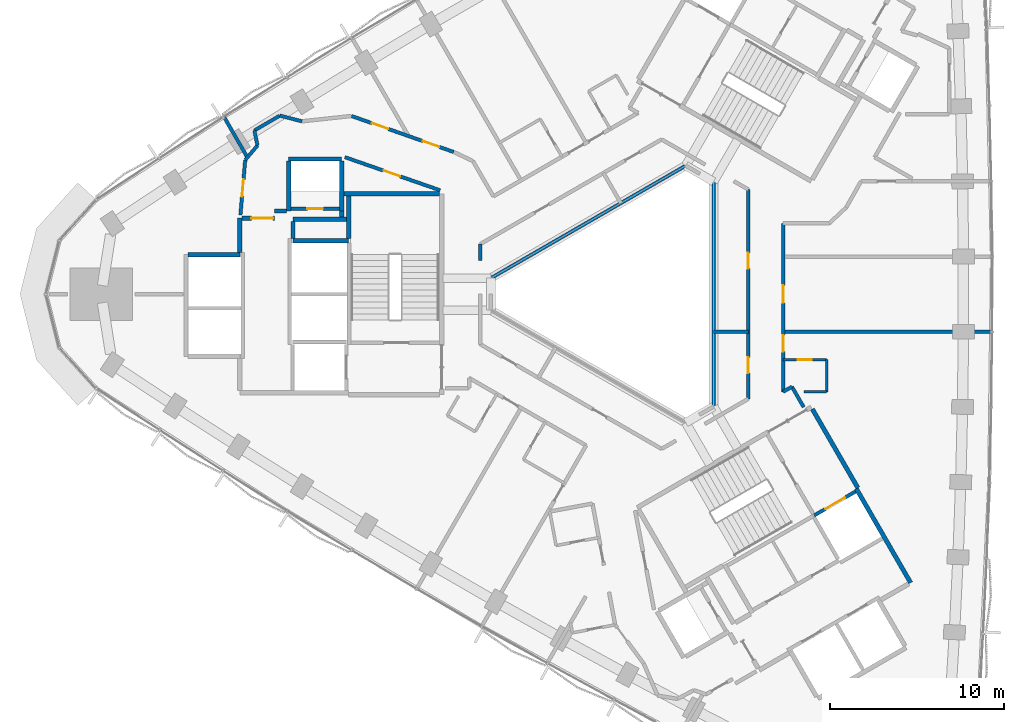
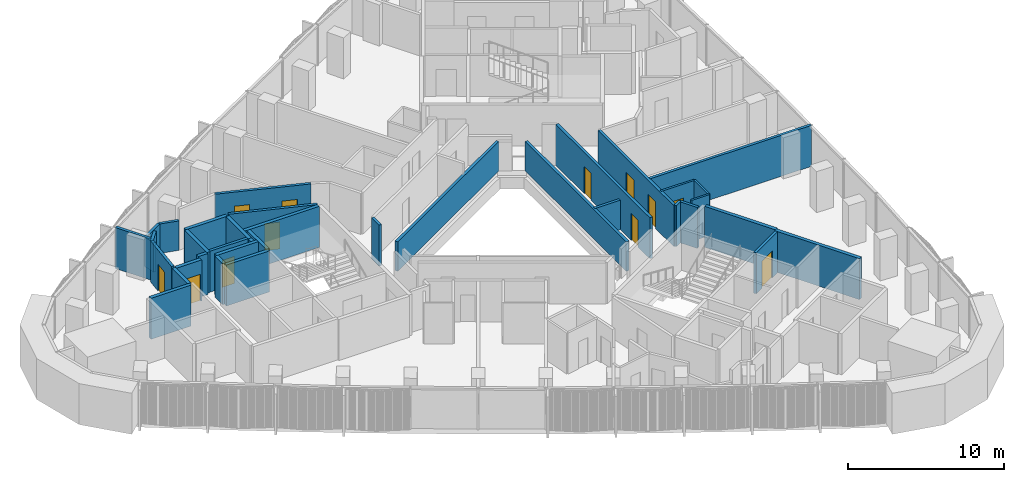
# One storey, part 10 of 15: 37 walls, 12 doors, 12 openings.
"""IFC4 building model written with IfcOpenShell, lengths in metres."""

from ifc_helpers import new_model, si_unit, direction, frame, frame_2d, origin, place, context, subcontext, project, spatial, rectangle, extrude, material, layer, layer_set, type_object, element, fill, save


model = new_model("IFC4")

# Units and contexts
model_context = context("Model", 3, precision=1e-05, world=origin(), true_north=direction((0.0, 1.0)))
body_context = subcontext(model_context, "Body", "Model", "MODEL_VIEW")
ifc_project = project(units=[si_unit("LENGTHUNIT", "METRE"), si_unit("AREAUNIT", "SQUARE_METRE"), si_unit("VOLUMEUNIT", "CUBIC_METRE"), si_unit("PLANEANGLEUNIT", "RADIAN"), si_unit("MASSUNIT", "GRAM", prefix="KILO")], contexts=[model_context])

# Site, building, storey
site_placement = place(None, origin())
site = spatial("IfcSite", under=ifc_project, at=site_placement, CompositionType="ELEMENT")
building_placement = place(site_placement, origin())
building = spatial("IfcBuilding", under=site, at=building_placement, Name="Tamra Quay Hotel Tower", CompositionType="ELEMENT")
storey_placement = place(building_placement, frame((0.0, 0.0, 136.0)))
storey = spatial("IfcBuildingStorey", under=building, at=storey_placement, Name="L33", CompositionType="ELEMENT", Elevation=136.0)

# Wall, opening, door
ifc_material_1 = material(Name="Concrete M70", Category="concrete")
ifc_layer_1 = layer(ifc_material_1, 0.199951171875)
ifc_layer_set_1 = layer_set([ifc_layer_1], Name="Concrete M70 core wall 200")
wall_type_1 = type_object("IfcWallType", Name="Concrete M70 core wall 200", PredefinedType="SHEAR", material=ifc_layer_set_1)
wall_1_placement = place(storey_placement, frame((-19.51123046875, 4.91015625, 0.0), z_axis=(0.0, 0.0, 1.0), x_axis=(1.0, 0.0, 0.0)))
wall_1 = element("IfcWall", 1, at=wall_1_placement, inside=storey, type_object=wall_type_1, Name="CW2", PredefinedType="SHEAR", context=body_context, shape_type="SweptSolid", body=[
    extrude(rectangle(XDim=2.7978515625, YDim=0.199951171875, at=frame_2d((1.39892578125, 0.0))), origin(), (0.0, 0.0, 1.0), 3.199951171875),
])
opening_1_placement = place(wall_1_placement, frame((0.948974609375, 0.0, 0.0)))
opening_1 = element("IfcOpeningElement", 2, at=opening_1_placement, cuts=wall_1, Name="Opening D1", PredefinedType="OPENING", context=body_context, shape_type="SweptSolid", body=[
    extrude(rectangle(XDim=0.89990234375, YDim=2.10009765625, at=frame_2d((0.449951171875, 1.050048828125))), frame((0.0, 0.10986328125, 0.0), z_axis=(0.0, -1.0, 0.0), x_axis=(1.0, 0.0, 0.0)), (0.0, 0.0, 1.0), 0.219970703125),
])
ifc_material_2 = material(Name="Core door D1 900x2100 RH")
door_type_1 = type_object("IfcDoorType", Name="Core door D1 900x2100 RH", OperationType="NOTDEFINED", PredefinedType="DOOR", material=ifc_material_2)
door_1_placement = place(opening_1_placement, origin())
door_1 = element("IfcDoor", 3, at=door_1_placement, inside=storey, type_object=door_type_1, Name="D1", OperationType="SINGLE_SWING_RIGHT", OverallHeight=2.10009765625, OverallWidth=0.89990234375, PredefinedType="DOOR", context=body_context, shape_type="SweptSolid", body=[
    extrude(rectangle(XDim=0.89990234375, YDim=2.10009765625, at=frame_2d((0.449951171875, 1.050048828125))), frame((0.0, 0.02490234375, 0.0), z_axis=(0.0, -1.0, 0.0), x_axis=(1.0, 0.0, 0.0)), (0.0, 0.0, 1.0), 0.050048828125),
])
fill(opening_1, door_1)

wall_2_placement = place(storey_placement, frame((10.587158203125, -12.72314453125, 0.0), z_axis=(0.0, 0.0, 1.0), x_axis=(0.866037306777, 0.499979382845, 0.0)))
wall_2 = element("IfcWall", 4, at=wall_2_placement, inside=storey, type_object=wall_type_1, Name="CW2", PredefinedType="SHEAR", context=body_context, shape_type="SweptSolid", body=[
    extrude(rectangle(XDim=2.74169921875, YDim=0.199951171875, at=frame_2d((1.370849609375, 0.0))), origin(), (0.0, 0.0, 1.0), 3.199951171875),
])
opening_2_placement = place(wall_2_placement, frame((0.742919921875, 0.0, 0.0)))
opening_2 = element("IfcOpeningElement", 5, at=opening_2_placement, cuts=wall_2, Name="Opening LD", PredefinedType="OPENING", context=body_context, shape_type="SweptSolid", body=[
    extrude(rectangle(XDim=1.300048828125, YDim=2.10009765625, at=frame_2d((0.64990234375, 1.050048828125))), frame((0.0, 0.10986328125, 0.0), z_axis=(0.0, -1.0, 0.0), x_axis=(1.0, 0.0, 0.0)), (0.0, 0.0, 1.0), 0.219970703125),
])
ifc_material_3 = material(Name="Landing door LD 1300 sliding to right")
door_type_2 = type_object("IfcDoorType", Name="Landing door LD 1300 sliding to right", OperationType="NOTDEFINED", PredefinedType="DOOR", material=ifc_material_3)
door_2_placement = place(opening_2_placement, origin())
door_2 = element("IfcDoor", 6, at=door_2_placement, inside=storey, type_object=door_type_2, Name="LD", OperationType="SLIDING_TO_RIGHT", OverallHeight=2.10009765625, OverallWidth=1.300048828125, PredefinedType="DOOR", context=body_context, shape_type="SweptSolid", body=[
    extrude(rectangle(XDim=1.300048828125, YDim=2.10009765625, at=frame_2d((0.64990234375, 1.050048828125))), frame((0.0, 0.02490234375, 0.0), z_axis=(0.0, -1.0, 0.0), x_axis=(1.0, 0.0, 0.0)), (0.0, 0.0, 1.0), 0.050048828125),
])
fill(opening_2, door_2)

# Walls
ifc_layer_2 = layer(ifc_material_1, 0.25)
ifc_layer_set_2 = layer_set([ifc_layer_2], Name="Concrete M70 core wall 250")
wall_type_2 = type_object("IfcWallType", Name="Concrete M70 core wall 250", PredefinedType="SHEAR", material=ifc_layer_set_2)
wall_3_placement = place(storey_placement, frame((-16.47216796875, 5.77490234375, 0.0), z_axis=(0.0, 0.0, 1.0), x_axis=(1.0, 0.0, 0.0)))
element("IfcWall", 7, at=wall_3_placement, inside=storey, type_object=wall_type_2, Name="CW1", PredefinedType="SHEAR", context=body_context, shape_type="SweptSolid", body=[
    extrude(rectangle(XDim=5.509521484375, YDim=0.25, at=frame_2d((2.7548828125, 0.0))), origin(), (0.0, 0.0, 1.0), 3.199951171875),
])
wall_4_placement = place(storey_placement, frame((-19.38720703125, 3.074951171875, 0.0), z_axis=(0.0, 0.0, 1.0), x_axis=(1.0, 0.0, 0.0)))
element("IfcWall", 8, at=wall_4_placement, inside=storey, type_object=wall_type_2, Name="CW1", PredefinedType="SHEAR", context=body_context, shape_type="SweptSolid", body=[
    extrude(rectangle(XDim=3.199951171875, YDim=0.25, at=frame_2d((1.60009765625, 0.0))), origin(), (0.0, 0.0, 1.0), 3.199951171875),
])
wall_5_placement = place(storey_placement, frame((-25.411865234375, 2.27490234375, 0.0), z_axis=(0.0, 0.0, 1.0), x_axis=(1.0, 0.0, 0.0)))
element("IfcWall", 9, at=wall_5_placement, inside=storey, type_object=wall_type_2, Name="CW1", PredefinedType="SHEAR", context=body_context, shape_type="SweptSolid", body=[
    extrude(rectangle(XDim=2.974609375, YDim=0.25, at=frame_2d((1.4873046875, 0.0))), origin(), (0.0, 0.0, 1.0), 3.199951171875),
])
wall_6_placement = place(storey_placement, frame((-19.63720703125, 7.77490234375, 0.0), z_axis=(0.0, 0.0, 1.0), x_axis=(1.0, 0.0, 0.0)))
element("IfcWall", 10, at=wall_6_placement, inside=storey, type_object=wall_type_2, Name="CW1", PredefinedType="SHEAR", context=body_context, shape_type="SweptSolid", body=[
    extrude(rectangle(XDim=3.0498046875, YDim=0.25, at=frame_2d((1.52490234375, 0.0))), origin(), (0.0, 0.0, 1.0), 3.199951171875),
])
for number, where, z_axis, x_axis, name in (
    (11, (-16.58740234375, 7.649658203125, 0.0), (0.0, 0.0, 1.0), (0.0, -1.0, 0.0), "CW1"),
    (12, (-19.63720703125, 4.784912109375, 0.0), (0.0, 0.0, 1.0), (0.0, 1.0, 0.0), "CW1"),
):
    element("IfcWall", number, at=place(storey_placement, frame(where, z_axis=z_axis, x_axis=x_axis)), inside=storey, type_object=wall_type_2, Name=name, PredefinedType="SHEAR", context=body_context, shape_type="SweptSolid", body=[
        extrude(rectangle(XDim=2.86474609375, YDim=0.25, at=frame_2d((1.432373046875, 0.0))), origin(), (0.0, 0.0, 1.0), 3.199951171875),
    ])
wall_7_placement = place(storey_placement, frame((-16.30224609375, 4.31494140625, 0.0), z_axis=(0.0, 0.0, 1.0), x_axis=(-1.0, 0.0, 0.0)))
element("IfcWall", 13, at=wall_7_placement, inside=storey, type_object=wall_type_2, Name="CW1", PredefinedType="SHEAR", context=body_context, shape_type="SweptSolid", body=[
    extrude(rectangle(XDim=3.0849609375, YDim=0.25, at=frame_2d((1.54248046875, 0.0))), origin(), (0.0, 0.0, 1.0), 3.199951171875),
])
wall_8_placement = place(storey_placement, frame((-16.187255859375, 3.200439453125, 0.0), z_axis=(0.0, 0.0, 1.0), x_axis=(0.0, 1.0, 0.0)))
element("IfcWall", 14, at=wall_8_placement, inside=storey, type_object=wall_type_2, Name="CW1", PredefinedType="SHEAR", context=body_context, shape_type="SweptSolid", body=[
    extrude(rectangle(XDim=2.44921875, YDim=0.25, at=frame_2d((1.224609375, 0.0))), origin(), (0.0, 0.0, 1.0), 3.199951171875),
])
wall_9_placement = place(storey_placement, frame((-22.437255859375, 2.400390625, 0.0), z_axis=(0.0, 0.0, 1.0), x_axis=(0.0, 1.0, 0.0)))
element("IfcWall", 15, at=wall_9_placement, inside=storey, type_object=wall_type_2, Name="CW1", PredefinedType="SHEAR", context=body_context, shape_type="SweptSolid", body=[
    extrude(rectangle(XDim=1.974609375, YDim=0.25, at=frame_2d((0.9873046875, 0.0))), origin(), (0.0, 0.0, 1.0), 3.199951171875),
])

# Wall, opening, door
wall_10_placement = place(storey_placement, frame((-22.311767578125, 4.375, 0.0), z_axis=(0.0, 0.0, 1.0), x_axis=(1.0, 0.0, 0.0)))
wall_10 = element("IfcWall", 16, at=wall_10_placement, inside=storey, type_object=wall_type_2, Name="CW1", PredefinedType="SHEAR", context=body_context, shape_type="SweptSolid", body=[
    extrude(rectangle(XDim=1.864501953125, YDim=0.25, at=frame_2d((0.93212890625, 0.0))), origin(), (0.0, 0.0, 1.0), 3.199951171875),
])
opening_3_placement = place(wall_10_placement, frame((0.53466796875, 0.0, 0.0)))
opening_3 = element("IfcOpeningElement", 17, at=opening_3_placement, cuts=wall_10, Name="Opening FD3", PredefinedType="OPENING", context=body_context, shape_type="SweptSolid", body=[
    extrude(rectangle(XDim=1.25, YDim=2.10009765625, at=frame_2d((0.625, 1.050048828125))), frame((0.0, 0.135009765625, 0.0), z_axis=(0.0, -1.0, 0.0), x_axis=(1.0, 0.0, 0.0)), (0.0, 0.0, 1.0), 0.27001953125),
])
ifc_material_4 = material(Name="Core door FD3 1250x2100 LH")
door_type_3 = type_object("IfcDoorType", Name="Core door FD3 1250x2100 LH", OperationType="NOTDEFINED", PredefinedType="DOOR", material=ifc_material_4)
door_3_placement = place(opening_3_placement, origin())
door_3 = element("IfcDoor", 18, at=door_3_placement, inside=storey, type_object=door_type_3, Name="FD3", OperationType="SINGLE_SWING_LEFT", OverallHeight=2.10009765625, OverallWidth=1.25, PredefinedType="DOOR", context=body_context, shape_type="SweptSolid", body=[
    extrude(rectangle(XDim=1.25, YDim=2.10009765625, at=frame_2d((0.625, 1.050048828125))), frame((0.0, 0.02490234375, 0.0), z_axis=(0.0, -1.0, 0.0), x_axis=(1.0, 0.0, 0.0)), (0.0, 0.0, 1.0), 0.050048828125),
])
fill(opening_3, door_3)

# Walls
wall_11_placement = place(storey_placement, frame((-19.38720703125, 4.189697265625, 0.0), z_axis=(0.0, 0.0, 1.0), x_axis=(0.0, -1.0, 0.0)))
element("IfcWall", 19, at=wall_11_placement, inside=storey, type_object=wall_type_2, Name="CW1", PredefinedType="SHEAR", context=body_context, shape_type="SweptSolid", body=[
    extrude(rectangle(XDim=0.9892578125, YDim=0.25, at=frame_2d((0.49462890625, 0.0))), origin(), (0.0, 0.0, 1.0), 3.199951171875),
])
wall_12_placement = place(storey_placement, frame((-20.447265625, 4.784912109375, 0.0), z_axis=(0.0, 0.0, 1.0), x_axis=(1.0, 0.0, 0.0)))
element("IfcWall", 20, at=wall_12_placement, inside=storey, type_object=wall_type_2, Name="CW1", PredefinedType="SHEAR", context=body_context, shape_type="SweptSolid", body=[
    extrude(rectangle(XDim=0.6845703125, YDim=0.25, at=frame_2d((0.34228515625, 0.0))), origin(), (0.0, 0.0, 1.0), 3.199951171875),
])
wall_13_placement = place(storey_placement, frame((-16.577392578125, 4.784912109375, 0.0), z_axis=(0.0, 0.0, 1.0), x_axis=(0.0, -1.0, 0.0)))
element("IfcWall", 21, at=wall_13_placement, inside=storey, type_object=wall_type_2, Name="CW1", PredefinedType="SHEAR", context=body_context, shape_type="SweptSolid", body=[
    extrude(rectangle(XDim=0.344482421875, YDim=0.25, at=frame_2d((0.17236328125, 0.0))), origin(), (0.0, 0.0, 1.0), 3.199951171875),
])
wall_14_placement = place(storey_placement, frame((13.00830078125, -11.18115234375, 0.0), z_axis=(0.0, 0.0, 1.0), x_axis=(0.500004234368, -0.866022959057, 0.0)))
element("IfcWall", 22, at=wall_14_placement, inside=storey, type_object=wall_type_2, Name="CW1", PredefinedType="SHEAR", context=body_context, shape_type="SweptSolid", body=[
    extrude(rectangle(XDim=6.25, YDim=0.25, at=frame_2d((3.125, 0.0))), origin(), (0.0, 0.0, 1.0), 3.199951171875),
])
wall_15_placement = place(storey_placement, frame((10.482666015625, -6.6064453125, 0.0), z_axis=(0.0, 0.0, 1.0), x_axis=(0.49999885962, -0.866026062182, 0.0)))
element("IfcWall", 23, at=wall_15_placement, inside=storey, type_object=wall_type_2, Name="CW1", PredefinedType="SHEAR", context=body_context, shape_type="SweptSolid", body=[
    extrude(rectangle(XDim=5.224609375, YDim=0.25, at=frame_2d((2.6123046875, 0.0))), origin(), (0.0, 0.0, 1.0), 3.199951171875),
])

# Wall, opening, door
ifc_material_5 = material(Name="Partition corridor wall")
ifc_layer_3 = layer(ifc_material_5, 0.199951171875)
ifc_layer_set_3 = layer_set([ifc_layer_3], Name="Partition corridor wall")
wall_type_3 = type_object("IfcWallType", Name="Partition corridor wall", PredefinedType="PARTITIONING", material=ifc_layer_set_3)
wall_16_placement = place(storey_placement, frame((-22.40673828125, 4.56005859375, 0.0), z_axis=(0.0, 0.0, 1.0), x_axis=(0.086898645684, 0.996217157741, 0.0)))
wall_16 = element("IfcWall", 24, at=wall_16_placement, inside=storey, type_object=wall_type_3, Name="W-C", PredefinedType="PARTITIONING", context=body_context, shape_type="SweptSolid", body=[
    extrude(rectangle(XDim=3.171875, YDim=0.199951171875, at=frame_2d((1.5859375, 0.0))), origin(), (0.0, 0.0, 1.0), 3.199951171875),
])
opening_4_placement = place(wall_16_placement, frame((1.055908203125, 0.0, 0.0)))
opening_4 = element("IfcOpeningElement", 25, at=opening_4_placement, cuts=wall_16, Name="Opening L33-D013", PredefinedType="OPENING", context=body_context, shape_type="SweptSolid", body=[
    extrude(rectangle(XDim=1.0, YDim=2.10009765625, at=frame_2d((0.5, 1.050048828125))), frame((0.0, 0.10986328125, 0.0), z_axis=(0.0, -1.0, 0.0), x_axis=(1.0, 0.0, 0.0)), (0.0, 0.0, 1.0), 0.219970703125),
])
ifc_material_6 = material(Name="Door guest room 1000x2100")
door_type_4 = type_object("IfcDoorType", Name="Door guest room 1000x2100", OperationType="NOTDEFINED", PredefinedType="DOOR", material=ifc_material_6)
door_4_placement = place(opening_4_placement, origin())
door_4 = element("IfcDoor", 26, at=door_4_placement, inside=storey, type_object=door_type_4, Name="L33-D013", OperationType="SINGLE_SWING_LEFT", OverallHeight=2.10009765625, OverallWidth=1.0, PredefinedType="DOOR", context=body_context, shape_type="SweptSolid", body=[
    extrude(rectangle(XDim=1.0, YDim=2.10009765625, at=frame_2d((0.5, 1.050048828125))), frame((0.0, 0.02490234375, 0.0), z_axis=(0.0, -1.0, 0.0), x_axis=(1.0, 0.0, 0.0)), (0.0, 0.0, 1.0), 0.050048828125),
])
fill(opening_4, door_4)

# Walls
wall_17_placement = place(storey_placement, frame((-22.13037109375, 7.719482421875, 0.0), z_axis=(0.0, 0.0, 1.0), x_axis=(0.646413536249, 0.762987247701, 0.0)))
element("IfcWall", 27, at=wall_17_placement, inside=storey, type_object=wall_type_3, Name="W-C", PredefinedType="PARTITIONING", context=body_context, shape_type="SweptSolid", body=[
    extrude(rectangle(XDim=1.091064453125, YDim=0.199951171875, at=frame_2d((0.54541015625, 0.0))), origin(), (0.0, 0.0, 1.0), 3.199951171875),
])
wall_18_placement = place(storey_placement, frame((-21.60498046875, 9.412109375, 0.0), z_axis=(0.0, 0.0, 1.0), x_axis=(0.204764111512, -0.978811349871, 0.0)))
element("IfcWall", 28, at=wall_18_placement, inside=storey, type_object=wall_type_3, Name="W-C", PredefinedType="PARTITIONING", context=body_context, shape_type="SweptSolid", body=[
    extrude(rectangle(XDim=0.878662109375, YDim=0.199951171875, at=frame_2d((0.439453125, 0.0))), origin(), (0.0, 0.0, 1.0), 2.300048828125),
])
wall_19_placement = place(storey_placement, frame((-21.60400390625, 9.4130859375, 0.0), z_axis=(0.0, 0.0, 1.0), x_axis=(0.863736988548, 0.503942868402, 0.0)))
element("IfcWall", 29, at=wall_19_placement, inside=storey, type_object=wall_type_3, Name="W-C", PredefinedType="PARTITIONING", context=body_context, shape_type="SweptSolid", body=[
    extrude(rectangle(XDim=1.690185546875, YDim=0.199951171875, at=frame_2d((0.84521484375, 0.0))), origin(), (0.0, 0.0, 1.0), 2.300048828125),
])
wall_20_placement = place(storey_placement, frame((-20.14306640625, 10.26611328125, 0.0), z_axis=(0.0, 0.0, 1.0), x_axis=(0.969121308325, -0.246584447505, 0.0)))
element("IfcWall", 30, at=wall_20_placement, inside=storey, type_object=wall_type_3, Name="W-C", PredefinedType="PARTITIONING", context=body_context, shape_type="SweptSolid", body=[
    extrude(rectangle(XDim=1.31884765625, YDim=0.199951171875, at=frame_2d((0.659423828125, 0.0))), origin(), (0.0, 0.0, 1.0), 2.300048828125),
])

# Wall, opening, door
wall_21_placement = place(storey_placement, frame((-16.40234375, 7.879150390625, 0.0), z_axis=(0.0, 0.0, 1.0), x_axis=(0.944492255471, -0.328533680702, 0.0)))
wall_21 = element("IfcWall", 31, at=wall_21_placement, inside=storey, type_object=wall_type_3, Name="W-C", PredefinedType="PARTITIONING", context=body_context, shape_type="SweptSolid", body=[
    extrude(rectangle(XDim=5.80224609375, YDim=0.199951171875, at=frame_2d((2.901123046875, 0.0))), origin(), (0.0, 0.0, 1.0), 3.199951171875),
])
opening_5_placement = place(wall_21_placement, frame((2.36962890625, 0.0, 0.0)))
opening_5 = element("IfcOpeningElement", 32, at=opening_5_placement, cuts=wall_21, Name="Opening L33-D011", PredefinedType="OPENING", context=body_context, shape_type="SweptSolid", body=[
    extrude(rectangle(XDim=1.0, YDim=2.10009765625, at=frame_2d((0.5, 1.050048828125))), frame((0.0, 0.10986328125, 0.0), z_axis=(0.0, -1.0, 0.0), x_axis=(1.0, 0.0, 0.0)), (0.0, 0.0, 1.0), 0.219970703125),
])
door_5_placement = place(opening_5_placement, frame((1.0, 0.0, 0.0), z_axis=(0.0, 0.0, 1.0), x_axis=(-1.0, 0.0, 0.0)))
door_5 = element("IfcDoor", 33, at=door_5_placement, inside=storey, type_object=door_type_4, Name="L33-D011", OperationType="SINGLE_SWING_LEFT", OverallHeight=2.10009765625, OverallWidth=1.0, PredefinedType="DOOR", context=body_context, shape_type="SweptSolid", body=[
    extrude(rectangle(XDim=1.0, YDim=2.10009765625, at=frame_2d((0.5, 1.050048828125))), frame((0.0, 0.02490234375, 0.0), z_axis=(0.0, -1.0, 0.0), x_axis=(1.0, 0.0, 0.0)), (0.0, 0.0, 1.0), 0.050048828125),
])
fill(opening_5, door_5)

# Wall, openings, doors
wall_22_placement = place(storey_placement, frame((-16.025634765625, 10.248046875, 0.0), z_axis=(0.0, 0.0, 1.0), x_axis=(0.943234993827, -0.332126100179, 0.0)))
wall_22 = element("IfcWall", 34, at=wall_22_placement, inside=storey, type_object=wall_type_3, Name="W-C", PredefinedType="PARTITIONING", context=body_context, shape_type="SweptSolid", body=[
    extrude(rectangle(XDim=6.23876953125, YDim=0.199951171875, at=frame_2d((3.119384765625, 0.0))), origin(), (0.0, 0.0, 1.0), 3.199951171875),
])
opening_6_placement = place(wall_22_placement, frame((4.355224609375, 0.0, 0.0)))
opening_6 = element("IfcOpeningElement", 35, at=opening_6_placement, cuts=wall_22, Name="Opening L33-D010", PredefinedType="OPENING", context=body_context, shape_type="SweptSolid", body=[
    extrude(rectangle(XDim=1.0, YDim=2.10009765625, at=frame_2d((0.5, 1.050048828125))), frame((0.0, 0.10986328125, 0.0), z_axis=(0.0, -1.0, 0.0), x_axis=(1.0, 0.0, 0.0)), (0.0, 0.0, 1.0), 0.219970703125),
])
opening_7_placement = place(wall_22_placement, frame((1.2509765625, 0.0, 0.0)))
opening_7 = element("IfcOpeningElement", 36, at=opening_7_placement, cuts=wall_22, Name="Opening L33-D012", PredefinedType="OPENING", context=body_context, shape_type="SweptSolid", body=[
    extrude(rectangle(XDim=1.0, YDim=2.10009765625, at=frame_2d((0.5, 1.050048828125))), frame((0.0, 0.10986328125, 0.0), z_axis=(0.0, -1.0, 0.0), x_axis=(1.0, 0.0, 0.0)), (0.0, 0.0, 1.0), 0.219970703125),
])
door_6_placement = place(opening_6_placement, origin())
door_6 = element("IfcDoor", 37, at=door_6_placement, inside=storey, type_object=door_type_4, Name="L33-D010", OperationType="SINGLE_SWING_LEFT", OverallHeight=2.10009765625, OverallWidth=1.0, PredefinedType="DOOR", context=body_context, shape_type="SweptSolid", body=[
    extrude(rectangle(XDim=1.0, YDim=2.10009765625, at=frame_2d((0.5, 1.050048828125))), frame((0.0, 0.02490234375, 0.0), z_axis=(0.0, -1.0, 0.0), x_axis=(1.0, 0.0, 0.0)), (0.0, 0.0, 1.0), 0.050048828125),
])
fill(opening_6, door_6)
door_7_placement = place(opening_7_placement, origin())
door_7 = element("IfcDoor", 38, at=door_7_placement, inside=storey, type_object=door_type_4, Name="L33-D012", OperationType="SINGLE_SWING_LEFT", OverallHeight=2.10009765625, OverallWidth=1.0, PredefinedType="DOOR", context=body_context, shape_type="SweptSolid", body=[
    extrude(rectangle(XDim=1.0, YDim=2.10009765625, at=frame_2d((0.5, 1.050048828125))), frame((0.0, 0.02490234375, 0.0), z_axis=(0.0, -1.0, 0.0), x_axis=(1.0, 0.0, 0.0)), (0.0, 0.0, 1.0), 0.050048828125),
])
fill(opening_7, door_7)

# Wall
wall_23_placement = place(storey_placement, frame((-8.612060546875, 1.926025390625, 0.0), z_axis=(0.0, 0.0, 1.0), x_axis=(0.0, 1.0, 0.0)))
element("IfcWall", 39, at=wall_23_placement, inside=storey, type_object=wall_type_3, Name="W-C", PredefinedType="PARTITIONING", context=body_context, shape_type="SweptSolid", body=[
    extrude(rectangle(XDim=0.953857421875, YDim=0.199951171875, at=frame_2d((0.47705078125, 0.0))), origin(), (0.0, 0.0, 1.0), 3.199951171875),
])

# Wall, openings, doors
wall_24_placement = place(storey_placement, frame((6.800048828125, -6.01904296875, 0.0), z_axis=(0.0, 0.0, 1.0), x_axis=(0.0, 1.0, 0.0)))
wall_24 = element("IfcWall", 40, at=wall_24_placement, inside=storey, type_object=wall_type_3, Name="W-C", PredefinedType="PARTITIONING", context=body_context, shape_type="SweptSolid", body=[
    extrude(rectangle(XDim=12.0380859375, YDim=0.199951171875, at=frame_2d((6.01904296875, 0.0))), origin(), (0.0, 0.0, 1.0), 3.199951171875),
])
opening_8_placement = place(wall_24_placement, frame((1.485107421875, 0.0, 0.0)))
opening_8 = element("IfcOpeningElement", 41, at=opening_8_placement, cuts=wall_24, Name="Opening L33-D024", PredefinedType="OPENING", context=body_context, shape_type="SweptSolid", body=[
    extrude(rectangle(XDim=0.89990234375, YDim=2.10009765625, at=frame_2d((0.449951171875, 1.050048828125))), frame((0.0, 0.10986328125, 0.0), z_axis=(0.0, -1.0, 0.0), x_axis=(1.0, 0.0, 0.0)), (0.0, 0.0, 1.0), 0.219970703125),
])
opening_9_placement = place(wall_24_placement, frame((7.491943359375, 0.0, 0.0)))
opening_9 = element("IfcOpeningElement", 42, at=opening_9_placement, cuts=wall_24, Name="Opening L33-D025", PredefinedType="OPENING", context=body_context, shape_type="SweptSolid", body=[
    extrude(rectangle(XDim=0.89990234375, YDim=2.10009765625, at=frame_2d((0.449951171875, 1.050048828125))), frame((0.0, 0.10986328125, 0.0), z_axis=(0.0, -1.0, 0.0), x_axis=(1.0, 0.0, 0.0)), (0.0, 0.0, 1.0), 0.219970703125),
])
ifc_material_7 = material(Name="Door service room 900x2100")
door_type_5 = type_object("IfcDoorType", Name="Door service room 900x2100", OperationType="NOTDEFINED", PredefinedType="DOOR", material=ifc_material_7)
door_8_placement = place(opening_8_placement, origin())
door_8 = element("IfcDoor", 43, at=door_8_placement, inside=storey, type_object=door_type_5, Name="L33-D024", OperationType="SINGLE_SWING_LEFT", OverallHeight=2.10009765625, OverallWidth=0.89990234375, PredefinedType="DOOR", context=body_context, shape_type="SweptSolid", body=[
    extrude(rectangle(XDim=0.89990234375, YDim=2.10009765625, at=frame_2d((0.449951171875, 1.050048828125))), frame((0.0, 0.02490234375, 0.0), z_axis=(0.0, -1.0, 0.0), x_axis=(1.0, 0.0, 0.0)), (0.0, 0.0, 1.0), 0.050048828125),
])
fill(opening_8, door_8)
door_9_placement = place(opening_9_placement, origin())
door_9 = element("IfcDoor", 44, at=door_9_placement, inside=storey, type_object=door_type_5, Name="L33-D025", OperationType="SINGLE_SWING_LEFT", OverallHeight=2.10009765625, OverallWidth=0.89990234375, PredefinedType="DOOR", context=body_context, shape_type="SweptSolid", body=[
    extrude(rectangle(XDim=0.89990234375, YDim=2.10009765625, at=frame_2d((0.449951171875, 1.050048828125))), frame((0.0, 0.02490234375, 0.0), z_axis=(0.0, -1.0, 0.0), x_axis=(1.0, 0.0, 0.0)), (0.0, 0.0, 1.0), 0.050048828125),
])
fill(opening_9, door_9)

wall_25_placement = place(storey_placement, frame((8.800048828125, -5.614013671875, 0.0), z_axis=(0.0, 0.0, 1.0), x_axis=(0.0, 1.0, 0.0)))
wall_25 = element("IfcWall", 45, at=wall_25_placement, inside=storey, type_object=wall_type_3, Name="W-C", PredefinedType="PARTITIONING", context=body_context, shape_type="SweptSolid", body=[
    extrude(rectangle(XDim=9.69189453125, YDim=0.199951171875, at=frame_2d((4.845947265625, 0.0))), origin(), (0.0, 0.0, 1.0), 3.199951171875),
])
opening_10_placement = place(wall_25_placement, frame((2.31494140625, 0.0, 0.0)))
opening_10 = element("IfcOpeningElement", 46, at=opening_10_placement, cuts=wall_25, Name="Opening L33-D001", PredefinedType="OPENING", context=body_context, shape_type="SweptSolid", body=[
    extrude(rectangle(XDim=0.949951171875, YDim=2.10009765625, at=frame_2d((0.47509765625, 1.050048828125))), frame((0.0, 0.10986328125, 0.0), z_axis=(0.0, -1.0, 0.0), x_axis=(1.0, 0.0, 0.0)), (0.0, 0.0, 1.0), 0.219970703125),
])
opening_11_placement = place(wall_25_placement, frame((5.114013671875, 0.0, 0.0)))
opening_11 = element("IfcOpeningElement", 47, at=opening_11_placement, cuts=wall_25, Name="Opening L33-D003", PredefinedType="OPENING", context=body_context, shape_type="SweptSolid", body=[
    extrude(rectangle(XDim=1.0, YDim=2.10009765625, at=frame_2d((0.5, 1.050048828125))), frame((0.0, 0.10986328125, 0.0), z_axis=(0.0, -1.0, 0.0), x_axis=(1.0, 0.0, 0.0)), (0.0, 0.0, 1.0), 0.219970703125),
])
door_10_placement = place(opening_11_placement, frame((1.0, 0.0, 0.0), z_axis=(0.0, 0.0, 1.0), x_axis=(-1.0, 0.0, 0.0)))
door_10 = element("IfcDoor", 48, at=door_10_placement, inside=storey, type_object=door_type_4, Name="L33-D003", OperationType="SINGLE_SWING_LEFT", OverallHeight=2.10009765625, OverallWidth=1.0, PredefinedType="DOOR", context=body_context, shape_type="SweptSolid", body=[
    extrude(rectangle(XDim=1.0, YDim=2.10009765625, at=frame_2d((0.5, 1.050048828125))), frame((0.0, 0.02490234375, 0.0), z_axis=(0.0, -1.0, 0.0), x_axis=(1.0, 0.0, 0.0)), (0.0, 0.0, 1.0), 0.050048828125),
])
fill(opening_11, door_10)
ifc_material_8 = material(Name="Door guest room 950x2100")
door_type_6 = type_object("IfcDoorType", Name="Door guest room 950x2100", OperationType="NOTDEFINED", PredefinedType="DOOR", material=ifc_material_8)
door_11_placement = place(opening_10_placement, frame((0.949951171875, 0.0, 0.0), z_axis=(0.0, 0.0, 1.0), x_axis=(-1.0, 0.0, 0.0)))
door_11 = element("IfcDoor", 49, at=door_11_placement, inside=storey, type_object=door_type_6, Name="L33-D001", OperationType="SINGLE_SWING_LEFT", OverallHeight=2.10009765625, OverallWidth=0.949951171875, PredefinedType="DOOR", context=body_context, shape_type="SweptSolid", body=[
    extrude(rectangle(XDim=0.949951171875, YDim=2.10009765625, at=frame_2d((0.47509765625, 1.050048828125))), frame((0.0, 0.02490234375, 0.0), z_axis=(0.0, -1.0, 0.0), x_axis=(1.0, 0.0, 0.0)), (0.0, 0.0, 1.0), 0.050048828125),
])
fill(opening_10, door_11)

# Walls
wall_26_placement = place(storey_placement, frame((8.800048828125, -5.614013671875, 0.0), z_axis=(0.0, 0.0, 1.0), x_axis=(0.866491166515, 0.499192406143, 0.0)))
element("IfcWall", 50, at=wall_26_placement, inside=storey, type_object=wall_type_3, Name="W-C", PredefinedType="PARTITIONING", context=body_context, shape_type="SweptSolid", body=[
    extrude(rectangle(XDim=0.5849609375, YDim=0.199951171875, at=frame_2d((0.29248046875, 0.0))), origin(), (0.0, 0.0, 1.0), 3.199951171875),
])
wall_27_placement = place(storey_placement, frame((9.3076171875, -5.321533203125, 0.0), z_axis=(0.0, 0.0, 1.0), x_axis=(0.499644515495, -0.866230545603, 0.0)))
element("IfcWall", 51, at=wall_27_placement, inside=storey, type_object=wall_type_3, Name="W-C", PredefinedType="PARTITIONING", context=body_context, shape_type="SweptSolid", body=[
    extrude(rectangle(XDim=1.35595703125, YDim=0.199951171875, at=frame_2d((0.677978515625, 0.0))), origin(), (0.0, 0.0, 1.0), 3.199951171875),
])

# Wall, opening, door
ifc_material_9 = material(Name="Partition en-suite wall")
ifc_layer_4 = layer(ifc_material_9, 0.14990234375)
ifc_layer_set_4 = layer_set([ifc_layer_4], Name="Partition en-suite wall")
wall_type_4 = type_object("IfcWallType", Name="Partition en-suite wall", PredefinedType="PARTITIONING", material=ifc_layer_set_4)
wall_28_placement = place(storey_placement, frame((8.801025390625, -3.760986328125, 0.0), z_axis=(0.0, 0.0, 1.0), x_axis=(1.0, 0.0, 0.0)))
wall_28 = element("IfcWall", 52, at=wall_28_placement, inside=storey, type_object=wall_type_4, Name="W-E", PredefinedType="PARTITIONING", context=body_context, shape_type="SweptSolid", body=[
    extrude(rectangle(XDim=2.4970703125, YDim=0.14990234375, at=frame_2d((1.24853515625, 0.0))), origin(), (0.0, 0.0, 1.0), 3.199951171875),
])
opening_12_placement = place(wall_28_placement, frame((0.84912109375, 0.0, 0.0)))
opening_12 = element("IfcOpeningElement", 53, at=opening_12_placement, cuts=wall_28, Name="Opening L33-D002", PredefinedType="OPENING", context=body_context, shape_type="SweptSolid", body=[
    extrude(rectangle(XDim=0.800048828125, YDim=2.10009765625, at=frame_2d((0.39990234375, 1.050048828125))), frame((0.0, 0.0849609375, 0.0), z_axis=(0.0, -1.0, 0.0), x_axis=(1.0, 0.0, 0.0)), (0.0, 0.0, 1.0), 0.169921875),
])
ifc_material_10 = material(Name="Door en-suite 800x2100")
door_type_7 = type_object("IfcDoorType", Name="Door en-suite 800x2100", OperationType="NOTDEFINED", PredefinedType="DOOR", material=ifc_material_10)
door_12_placement = place(opening_12_placement, frame((0.800048828125, 0.0, 0.0), z_axis=(0.0, 0.0, 1.0), x_axis=(-1.0, 0.0, 0.0)))
door_12 = element("IfcDoor", 54, at=door_12_placement, inside=storey, type_object=door_type_7, Name="L33-D002", OperationType="SINGLE_SWING_LEFT", OverallHeight=2.10009765625, OverallWidth=0.800048828125, PredefinedType="DOOR", context=body_context, shape_type="SweptSolid", body=[
    extrude(rectangle(XDim=0.800048828125, YDim=2.10009765625, at=frame_2d((0.39990234375, 1.050048828125))), frame((0.0, 0.02490234375, 0.0), z_axis=(0.0, -1.0, 0.0), x_axis=(1.0, 0.0, 0.0)), (0.0, 0.0, 1.0), 0.050048828125),
])
fill(opening_12, door_12)

# Walls
wall_29_placement = place(storey_placement, frame((11.298095703125, -5.614013671875, 0.0), z_axis=(0.0, 0.0, 1.0), x_axis=(-1.0, 0.0, 0.0)))
element("IfcWall", 55, at=wall_29_placement, inside=storey, type_object=wall_type_4, Name="W-E", PredefinedType="PARTITIONING", context=body_context, shape_type="SweptSolid", body=[
    extrude(rectangle(XDim=1.30224609375, YDim=0.14990234375, at=frame_2d((0.651123046875, 0.0))), origin(), (0.0, 0.0, 1.0), 3.199951171875),
])
wall_30_placement = place(storey_placement, frame((11.300048828125, -5.612060546875, 0.0), z_axis=(0.0, 0.0, 1.0), x_axis=(0.0, 1.0, 0.0)))
element("IfcWall", 56, at=wall_30_placement, inside=storey, type_object=wall_type_4, Name="W-E", PredefinedType="PARTITIONING", context=body_context, shape_type="SweptSolid", body=[
    extrude(rectangle(XDim=1.84912109375, YDim=0.14990234375, at=frame_2d((0.924560546875, 0.0))), origin(), (0.0, 0.0, 1.0), 3.199951171875),
])
ifc_material_11 = material(Name="Partition party wall")
ifc_layer_5 = layer(ifc_material_11, 0.199951171875)
ifc_layer_set_5 = layer_set([ifc_layer_5], Name="Partition party wall")
wall_type_5 = type_object("IfcWallType", Name="Partition party wall", PredefinedType="PARTITIONING", material=ifc_layer_set_5)
wall_31_placement = place(storey_placement, frame((-23.350830078125, 10.196533203125, 0.0), z_axis=(0.0, 0.0, 1.0), x_axis=(0.49992673358, -0.86606770004, 0.0)))
element("IfcWall", 57, at=wall_31_placement, inside=storey, type_object=wall_type_5, Name="W-P", PredefinedType="PARTITIONING", context=body_context, shape_type="SweptSolid", body=[
    extrude(rectangle(XDim=2.68994140625, YDim=0.199951171875, at=frame_2d((1.344970703125, 0.0))), origin(), (0.0, 0.0, 1.0), 3.199951171875),
])
wall_32_placement = place(storey_placement, frame((-8.0, 0.924072265625, 0.0), z_axis=(0.0, 0.0, 1.0), x_axis=(0.86604129137, 0.499972480886, 0.0)))
element("IfcWall", 58, at=wall_32_placement, inside=storey, type_object=wall_type_5, Name="W-P", PredefinedType="PARTITIONING", context=body_context, shape_type="SweptSolid", body=[
    extrude(rectangle(XDim=12.932373046875, YDim=0.199951171875, at=frame_2d((6.46630859375, 0.0))), origin(), (0.0, 0.0, 1.0), 2.300048828125),
])
wall_33_placement = place(storey_placement, frame((4.800048828125, -6.466064453125, 0.0), z_axis=(0.0, 0.0, 1.0), x_axis=(0.0, 1.0, 0.0)))
element("IfcWall", 59, at=wall_33_placement, inside=storey, type_object=wall_type_5, Name="W-P", PredefinedType="PARTITIONING", context=body_context, shape_type="SweptSolid", body=[
    extrude(rectangle(XDim=12.93212890625, YDim=0.199951171875, at=frame_2d((6.466064453125, 0.0))), origin(), (0.0, 0.0, 1.0), 2.300048828125),
])
wall_34_placement = place(storey_placement, frame((4.800048828125, -2.160888671875, 0.0), z_axis=(0.0, 0.0, 1.0), x_axis=(1.0, 0.0, 0.0)))
element("IfcWall", 60, at=wall_34_placement, inside=storey, type_object=wall_type_5, Name="W-P", PredefinedType="PARTITIONING", context=body_context, shape_type="SweptSolid", body=[
    extrude(rectangle(XDim=2.0, YDim=0.199951171875, at=frame_2d((1.0, 0.0))), origin(), (0.0, 0.0, 1.0), 2.300048828125),
])
wall_35_placement = place(storey_placement, frame((8.801025390625, -2.160888671875, 0.0), z_axis=(0.0, 0.0, 1.0), x_axis=(1.0, 0.0, 0.0)))
element("IfcWall", 61, at=wall_35_placement, inside=storey, type_object=wall_type_5, Name="W-P", PredefinedType="PARTITIONING", context=body_context, shape_type="SweptSolid", body=[
    extrude(rectangle(XDim=12.013671875, YDim=0.199951171875, at=frame_2d((6.0068359375, 0.0))), origin(), (0.0, 0.0, 1.0), 3.199951171875),
])

save(model, "model.ifc")
